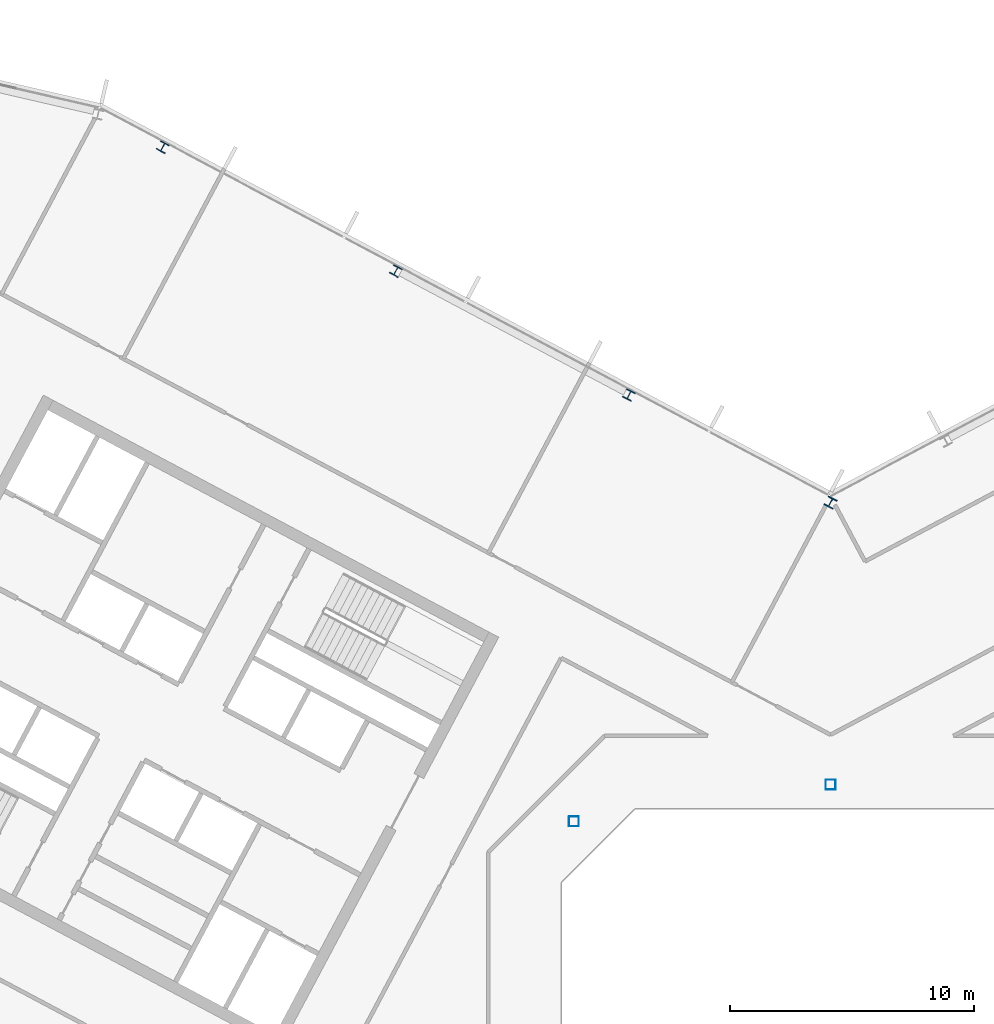
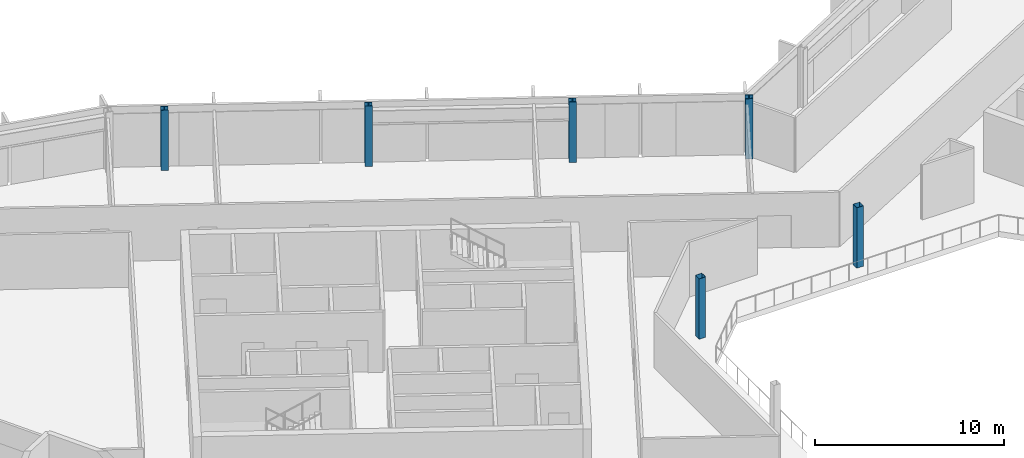
# One storey, part 4 of 26: 6 columns.
"""IFC4 building model written with IfcOpenShell, lengths in metres."""

from ifc_helpers import new_model, si_unit, direction, frame, origin, origin_2d, place, context, subcontext, project, spatial, hollow_rectangle, i_section, extrude, material, material_profile, profile_set, type_object, element, save


model = new_model("IFC4")

# Units and contexts
model_context = context("Model", 3, precision=1e-05, world=origin(), true_north=direction((0.0, 1.0)))
body_context = subcontext(model_context, "Body", "Model", "MODEL_VIEW")
ifc_project = project(units=[si_unit("LENGTHUNIT", "METRE"), si_unit("AREAUNIT", "SQUARE_METRE"), si_unit("VOLUMEUNIT", "CUBIC_METRE"), si_unit("PLANEANGLEUNIT", "RADIAN"), si_unit("MASSUNIT", "GRAM", prefix="KILO")], contexts=[model_context])

# Site, building, storey
site_placement = place(None, origin())
site = spatial("IfcSite", under=ifc_project, at=site_placement, CompositionType="ELEMENT")
building_placement = place(site_placement, origin())
building = spatial("IfcBuilding", under=site, at=building_placement, Name="Cormorant Relay Tower", CompositionType="ELEMENT")
storey_placement = place(building_placement, frame((0.0, 0.0, 261.89990234375)))
storey = spatial("IfcBuildingStorey", under=building, at=storey_placement, Name="L58", CompositionType="ELEMENT", Elevation=261.89990234375)

# Columns
ifc_material_1 = material(Name="Steel ASTM A500 Grade C (Fy 345 MPa)", Category="steel")
ifc_material_profile_1 = material_profile(ifc_material_1, hollow_rectangle(XDim=0.406494140625, YDim=0.406494140625, WallThickness=0.0087890625, InnerFilletRadius=0.00439453125, OuterFilletRadius=0.01318359375, at=origin_2d()), Name="HSS406x406x9")
ifc_profile_set_1 = profile_set([ifc_material_profile_1], Name="Steel ASTM A500 Grade C (Fy 345 MPa)")
column_type_1 = type_object("IfcColumnType", Name="Column HSS406x406x9", PredefinedType="COLUMN", material=ifc_profile_set_1)
for number, where, z_axis, x_axis, name in (
    (1, (-10.5, 10.5, 0.0), (0.0, 0.0, 1.0), (1.0, 0.0, 0.0), "Column L58-023"),
    (2, (0.0, 12.0, 0.0), (0.0, 0.0, 1.0), (1.0, 0.0, 0.0), "Column L58-025"),
):
    element("IfcColumn", number, at=place(storey_placement, frame(where, z_axis=z_axis, x_axis=x_axis)), inside=storey, type_object=column_type_1, Name=name, PredefinedType="COLUMN", context=body_context, shape_type="SweptSolid", body=[
        extrude(hollow_rectangle(XDim=0.406494140625, YDim=0.406494140625, WallThickness=0.0087890625, InnerFilletRadius=0.00439453125, OuterFilletRadius=0.01318359375, at=origin_2d()), origin(), (0.0, 0.0, 1.0), 3.900146484375),
    ])
ifc_material_2 = material(Name="Steel ASTM A992 (Fy 345 MPa)", Category="steel")
ifc_material_profile_2 = material_profile(ifc_material_2, i_section(OverallWidth=0.398681640625, OverallDepth=0.385986328125, WebThickness=0.02099609375, FlangeThickness=0.033203125, FilletRadius=0.01513671875, at=origin_2d()), Name="W360x262")
ifc_profile_set_2 = profile_set([ifc_material_profile_2], Name="Steel ASTM A992 (Fy 345 MPa)")
column_type_2 = type_object("IfcColumnType", Name="Column W360x262", PredefinedType="COLUMN", material=ifc_profile_set_2)
for number, where, z_axis, x_axis, name in (
    (3, (-8.2470703125, 27.943115234375, 0.0), (0.0, 0.0, 1.0), (-0.882947592859, 0.469471562786, 0.0), "Column L58-032"),
    (4, (-17.782958984375, 33.012939453125, 0.0), (0.0, 0.0, 1.0), (-0.882947592859, 0.469471562786, 0.0), "Column L58-036"),
    (5, (-27.319091796875, 38.0830078125, 0.0), (0.0, 0.0, 1.0), (-0.882947592859, 0.469471562786, 0.0), "Column L58-040"),
):
    element("IfcColumn", number, at=place(storey_placement, frame(where, z_axis=z_axis, x_axis=x_axis)), inside=storey, type_object=column_type_2, Name=name, PredefinedType="COLUMN", context=body_context, shape_type="SweptSolid", body=[
        extrude(i_section(OverallWidth=0.398681640625, OverallDepth=0.385986328125, WebThickness=0.02099609375, FlangeThickness=0.033203125, FilletRadius=0.01513671875, at=origin_2d()), origin(), (0.0, 0.0, 1.0), 3.900146484375),
    ])
ifc_material_3 = material(Name="Steel ASTM A992 (Fy 345 MPa)", Category="steel")
ifc_material_profile_3 = material_profile(ifc_material_3, i_section(OverallWidth=0.40380859375, OverallDepth=0.406494140625, WebThickness=0.027099609375, FlangeThickness=0.043701171875, FilletRadius=0.01513671875, at=origin_2d()), Name="W360x347")
ifc_profile_set_3 = profile_set([ifc_material_profile_3], Name="Steel ASTM A992 (Fy 345 MPa)")
column_type_3 = type_object("IfcColumnType", Name="Column W360x347", PredefinedType="COLUMN", material=ifc_profile_set_3)
column_placement = place(storey_placement, frame((0.0, 23.5439453125, 0.0), z_axis=(0.0, 0.0, 1.0), x_axis=(-0.882947592859, 0.469471562786, 0.0)))
element("IfcColumn", 6, at=column_placement, inside=storey, type_object=column_type_3, Name="Column L58-029", PredefinedType="COLUMN", context=body_context, shape_type="SweptSolid", body=[
    extrude(i_section(OverallWidth=0.40380859375, OverallDepth=0.406494140625, WebThickness=0.027099609375, FlangeThickness=0.043701171875, FilletRadius=0.01513671875, at=origin_2d()), origin(), (0.0, 0.0, 1.0), 3.900146484375),
])

save(model, "model.ifc")
